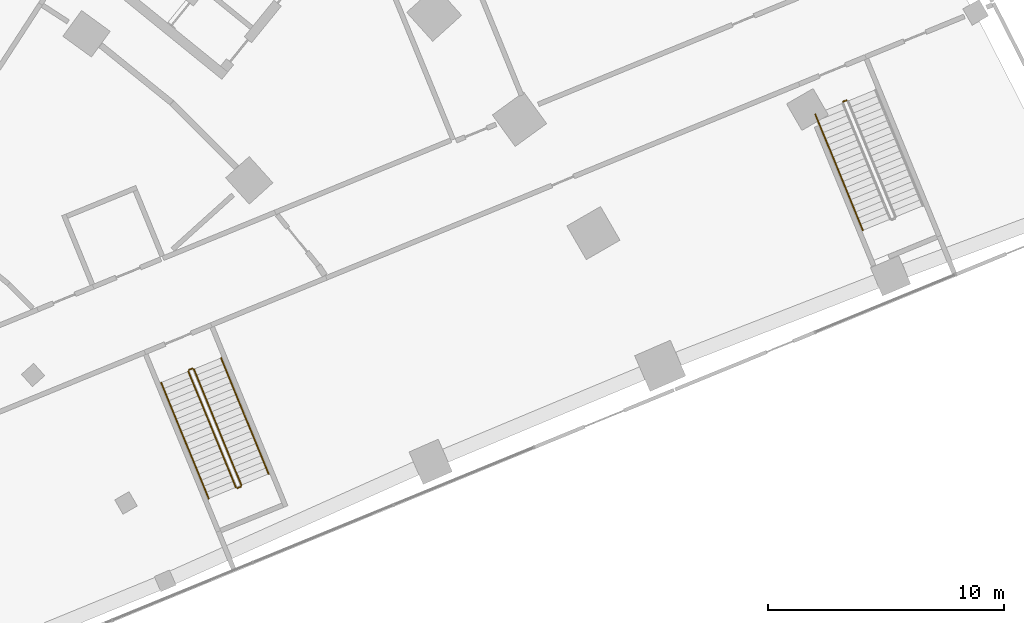
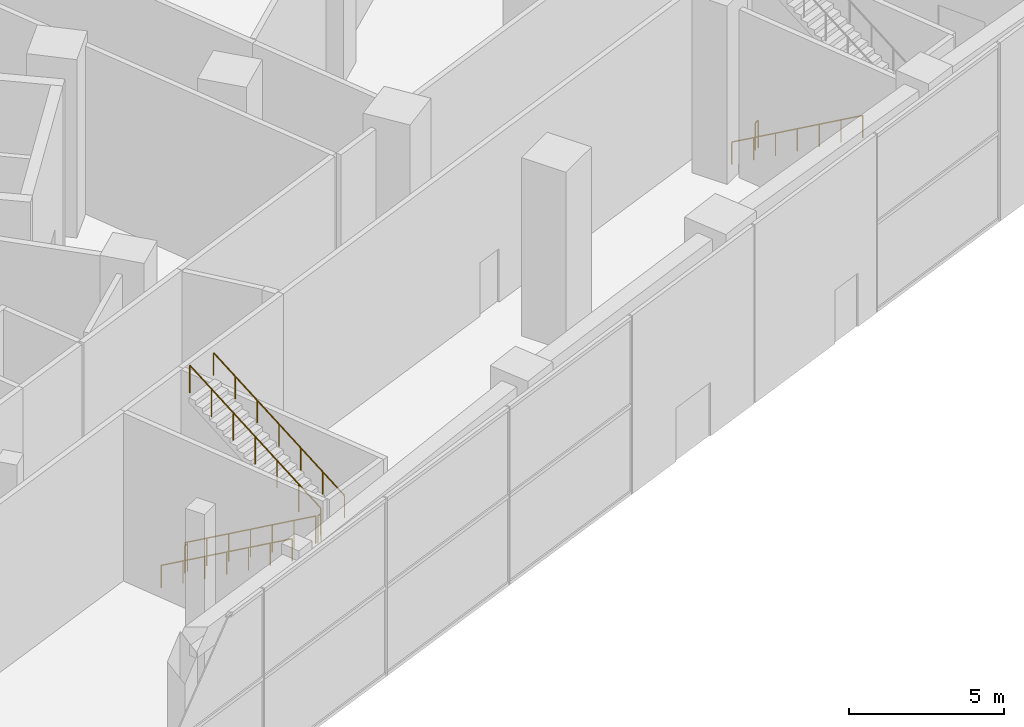
# One storey, part 56 of 60: 8 railings.
"""IFC4 building model written with IfcOpenShell, lengths in metres."""

from ifc_helpers import new_model, si_unit, direction, frame, origin, origin_2d, place, context, subcontext, project, spatial, circle, extrude, material, type_object, element, save


model = new_model("IFC4")

# Units and contexts
model_context = context("Model", 3, precision=1e-05, world=origin(), true_north=direction((0.0, 1.0)))
body_context = subcontext(model_context, "Body", "Model", "MODEL_VIEW")
ifc_project = project(units=[si_unit("LENGTHUNIT", "METRE"), si_unit("AREAUNIT", "SQUARE_METRE"), si_unit("VOLUMEUNIT", "CUBIC_METRE"), si_unit("PLANEANGLEUNIT", "RADIAN"), si_unit("MASSUNIT", "GRAM", prefix="KILO")], contexts=[model_context])

# Site, building, storey
site_placement = place(None, origin())
site = spatial("IfcSite", under=ifc_project, at=site_placement, CompositionType="ELEMENT")
building_placement = place(site_placement, origin())
building = spatial("IfcBuilding", under=site, at=building_placement, Name="Stone Belt Terrace Tower", CompositionType="ELEMENT")
storey_placement = place(building_placement, origin())
storey = spatial("IfcBuildingStorey", under=building, at=storey_placement, Name="L00", CompositionType="ELEMENT", Elevation=0.0)

# Railings
ifc_material_1 = material(Name="Steel balustrade", Category="steel")
railing_type_1 = type_object("IfcRailingType", Name="Podium stair guard", PredefinedType="GUARDRAIL", material=ifc_material_1)
railing_1_placement = place(storey_placement, frame((30.445556640625, 21.63232421875, 0.175048828125)))
element("IfcRailing", 1, at=railing_1_placement, inside=storey, type_object=railing_type_1, Name="L00 PS3 stair guard 1", PredefinedType="GUARDRAIL", context=body_context, shape_type="SweptSolid", body=[
    extrude(circle(Radius=0.02392578125, at=origin_2d()), frame((0.0, 0.0, 1.076171875), z_axis=(0.321598436884, -0.784655043911, 0.529991422062), x_axis=(0.925297482955, 0.379242096868, 0.0)), (0.0, 0.0, 1.0), 6.273681640625),
    extrude(circle(Radius=0.02099609375, at=origin_2d()), origin(), (0.0, 0.0, 1.0), 1.052001953125),
    extrude(circle(Radius=0.02099609375, at=origin_2d()), frame((0.336181640625, -0.8203125, 0.55419921875)), (0.0, 0.0, 1.0), 1.052001953125),
    extrude(circle(Radius=0.02099609375, at=origin_2d()), frame((0.672607421875, -1.640869140625, 1.1083984375)), (0.0, 0.0, 1.0), 1.052001953125),
    extrude(circle(Radius=0.02099609375, at=origin_2d()), frame((1.0087890625, -2.46142578125, 1.66259765625)), (0.0, 0.0, 1.0), 1.052001953125),
    extrude(circle(Radius=0.02099609375, at=origin_2d()), frame((1.344970703125, -3.28173828125, 2.216552734375)), (0.0, 0.0, 1.0), 1.052001953125),
    extrude(circle(Radius=0.02099609375, at=origin_2d()), frame((1.681396484375, -4.10205078125, 2.770751953125)), (0.0, 0.0, 1.0), 1.052001953125),
    extrude(circle(Radius=0.02099609375, at=origin_2d()), frame((2.017578125, -4.922607421875, 3.324951171875)), (0.0, 0.0, 1.0), 1.052001953125),
])
railing_2_placement = place(storey_placement, frame((32.5283203125, 16.682373046875, 3.5)))
element("IfcRailing", 2, at=railing_2_placement, inside=storey, type_object=railing_type_1, Name="L00 PS3 stair guard 2", PredefinedType="GUARDRAIL", context=body_context, shape_type="SweptSolid", body=[
    extrude(circle(Radius=0.02392578125, at=origin_2d()), frame((0.0, 0.0, 1.076171875), z_axis=(0.925183283695, 0.379520607572, 0.0), x_axis=(-0.379520607572, 0.925183283695, 0.0)), (0.0, 0.0, 1.0), 0.14990234375),
    extrude(circle(Radius=0.02099609375, at=origin_2d()), origin(), (0.0, 0.0, 1.0), 1.052001953125),
    extrude(circle(Radius=0.02099609375, at=origin_2d()), frame((0.138671875, 0.056884765625, 0.0)), (0.0, 0.0, 1.0), 1.052001953125),
])
railing_3_placement = place(storey_placement, frame((32.6943359375, 16.804443359375, 3.675048828125)))
element("IfcRailing", 3, at=railing_3_placement, inside=storey, type_object=railing_type_1, Name="L00 PS3 stair guard 3", PredefinedType="GUARDRAIL", context=body_context, shape_type="SweptSolid", body=[
    extrude(circle(Radius=0.02392578125, at=origin_2d()), frame((0.0, 0.0, 1.076171875), z_axis=(-0.321598436884, 0.784655043911, 0.529991422062), x_axis=(-0.925297482955, -0.379242096868, 0.0)), (0.0, 0.0, 1.0), 6.273681640625),
    extrude(circle(Radius=0.02099609375, at=origin_2d()), origin(), (0.0, 0.0, 1.0), 1.052001953125),
    extrude(circle(Radius=0.02099609375, at=origin_2d()), frame((-0.336181640625, 0.8203125, 0.55419921875)), (0.0, 0.0, 1.0), 1.052001953125),
    extrude(circle(Radius=0.02099609375, at=origin_2d()), frame((-0.672607421875, 1.640869140625, 1.1083984375)), (0.0, 0.0, 1.0), 1.052001953125),
    extrude(circle(Radius=0.02099609375, at=origin_2d()), frame((-1.0087890625, 2.46142578125, 1.66259765625)), (0.0, 0.0, 1.0), 1.052001953125),
    extrude(circle(Radius=0.02099609375, at=origin_2d()), frame((-1.344970703125, 3.28173828125, 2.216552734375)), (0.0, 0.0, 1.0), 1.052001953125),
    extrude(circle(Radius=0.02099609375, at=origin_2d()), frame((-1.681396484375, 4.10205078125, 2.770751953125)), (0.0, 0.0, 1.0), 1.052001953125),
    extrude(circle(Radius=0.02099609375, at=origin_2d()), frame((-2.017578125, 4.922607421875, 3.324951171875)), (0.0, 0.0, 1.0), 1.052001953125),
])
railing_4_placement = place(storey_placement, frame((30.472900390625, 21.697509765625, 0.0)))
element("IfcRailing", 4, at=railing_4_placement, inside=storey, type_object=railing_type_1, Name="L00 PS3 stair guard 4", PredefinedType="GUARDRAIL", context=body_context, shape_type="SweptSolid", body=[
    extrude(circle(Radius=0.02392578125, at=origin_2d()), frame((0.0, 0.0, 1.076171875), z_axis=(0.925183283695, 0.379520607572, 0.0), x_axis=(-0.379520607572, 0.925183283695, 0.0)), (0.0, 0.0, 1.0), 0.14990234375),
    extrude(circle(Radius=0.02099609375, at=origin_2d()), origin(), (0.0, 0.0, 1.0), 1.052001953125),
    extrude(circle(Radius=0.02099609375, at=origin_2d()), frame((0.138671875, 0.056884765625, 0.0)), (0.0, 0.0, 1.0), 1.052001953125),
])
railing_5_placement = place(storey_placement, frame((58.231689453125, 33.07470703125, 0.0)))
element("IfcRailing", 5, at=railing_5_placement, inside=storey, type_object=railing_type_1, Name="L00 PS4 stair guard 4", PredefinedType="GUARDRAIL", context=body_context, shape_type="SweptSolid", body=[
    extrude(circle(Radius=0.02392578125, at=origin_2d()), frame((0.0, 0.0, 1.076171875), z_axis=(0.925417366351, 0.378949466362, 0.0), x_axis=(-0.378949466362, 0.925417366351, 0.0)), (0.0, 0.0, 1.0), 0.150146484375),
    extrude(circle(Radius=0.02099609375, at=origin_2d()), origin(), (0.0, 0.0, 1.0), 1.052001953125),
    extrude(circle(Radius=0.02099609375, at=origin_2d()), frame((0.138916015625, 0.056884765625, 0.0)), (0.0, 0.0, 1.0), 1.052001953125),
])
ifc_material_2 = material(Name="Stainless steel handrail", Category="steel")
railing_type_2 = type_object("IfcRailingType", Name="Podium stair handrail", PredefinedType="HANDRAIL", material=ifc_material_2)
railing_6_placement = place(storey_placement, frame((29.288818359375, 21.158203125, 0.175048828125)))
element("IfcRailing", 6, at=railing_6_placement, inside=storey, type_object=railing_type_2, Name="L00 PS3 stair handrail 1", PredefinedType="HANDRAIL", context=body_context, shape_type="SweptSolid", body=[
    extrude(circle(Radius=0.02392578125, at=origin_2d()), frame((0.0, 0.0, 0.8759765625), z_axis=(0.321598436884, -0.784655043911, 0.529991422062), x_axis=(0.925297482955, 0.379242096868, 0.0)), (0.0, 0.0, 1.0), 6.273681640625),
    extrude(circle(Radius=0.02099609375, at=origin_2d()), origin(), (0.0, 0.0, 1.0), 0.851806640625),
    extrude(circle(Radius=0.02099609375, at=origin_2d()), frame((0.336181640625, -0.8203125, 0.55419921875)), (0.0, 0.0, 1.0), 0.851806640625),
    extrude(circle(Radius=0.02099609375, at=origin_2d()), frame((0.672607421875, -1.640869140625, 1.1083984375)), (0.0, 0.0, 1.0), 0.851806640625),
    extrude(circle(Radius=0.02099609375, at=origin_2d()), frame((1.0087890625, -2.46142578125, 1.66259765625)), (0.0, 0.0, 1.0), 0.851806640625),
    extrude(circle(Radius=0.02099609375, at=origin_2d()), frame((1.344970703125, -3.28173828125, 2.216552734375)), (0.0, 0.0, 1.0), 0.851806640625),
    extrude(circle(Radius=0.02099609375, at=origin_2d()), frame((1.681396484375, -4.10205078125, 2.770751953125)), (0.0, 0.0, 1.0), 0.851806640625),
    extrude(circle(Radius=0.02099609375, at=origin_2d()), frame((2.017578125, -4.922607421875, 3.324951171875)), (0.0, 0.0, 1.0), 0.851806640625),
])
railing_7_placement = place(storey_placement, frame((33.85107421875, 17.278564453125, 3.675048828125)))
element("IfcRailing", 7, at=railing_7_placement, inside=storey, type_object=railing_type_2, Name="L00 PS3 stair handrail 2", PredefinedType="HANDRAIL", context=body_context, shape_type="SweptSolid", body=[
    extrude(circle(Radius=0.02392578125, at=origin_2d()), frame((0.0, 0.0, 0.8759765625), z_axis=(-0.321598436884, 0.784655043911, 0.529991422062), x_axis=(-0.925297482955, -0.379242096868, 0.0)), (0.0, 0.0, 1.0), 6.273681640625),
    extrude(circle(Radius=0.02099609375, at=origin_2d()), origin(), (0.0, 0.0, 1.0), 0.851806640625),
    extrude(circle(Radius=0.02099609375, at=origin_2d()), frame((-0.336181640625, 0.8203125, 0.55419921875)), (0.0, 0.0, 1.0), 0.851806640625),
    extrude(circle(Radius=0.02099609375, at=origin_2d()), frame((-0.672607421875, 1.640869140625, 1.1083984375)), (0.0, 0.0, 1.0), 0.851806640625),
    extrude(circle(Radius=0.02099609375, at=origin_2d()), frame((-1.0087890625, 2.46142578125, 1.66259765625)), (0.0, 0.0, 1.0), 0.851806640625),
    extrude(circle(Radius=0.02099609375, at=origin_2d()), frame((-1.344970703125, 3.28173828125, 2.216552734375)), (0.0, 0.0, 1.0), 0.851806640625),
    extrude(circle(Radius=0.02099609375, at=origin_2d()), frame((-1.681396484375, 4.10205078125, 2.770751953125)), (0.0, 0.0, 1.0), 0.851806640625),
    extrude(circle(Radius=0.02099609375, at=origin_2d()), frame((-2.017578125, 4.922607421875, 3.324951171875)), (0.0, 0.0, 1.0), 0.851806640625),
])
railing_8_placement = place(storey_placement, frame((57.0478515625, 32.535400390625, 0.175048828125)))
element("IfcRailing", 8, at=railing_8_placement, inside=storey, type_object=railing_type_2, Name="L00 PS4 stair handrail 1", PredefinedType="HANDRAIL", context=body_context, shape_type="SweptSolid", body=[
    extrude(circle(Radius=0.02392578125, at=origin_2d()), frame((0.0, 0.0, 0.8759765625), z_axis=(0.321598436884, -0.784655043911, 0.529991422062), x_axis=(0.925297482955, 0.379242096868, 0.0)), (0.0, 0.0, 1.0), 6.273681640625),
    extrude(circle(Radius=0.02099609375, at=origin_2d()), origin(), (0.0, 0.0, 1.0), 0.851806640625),
    extrude(circle(Radius=0.02099609375, at=origin_2d()), frame((0.336181640625, -0.8203125, 0.55419921875)), (0.0, 0.0, 1.0), 0.851806640625),
    extrude(circle(Radius=0.02099609375, at=origin_2d()), frame((0.672607421875, -1.640869140625, 1.1083984375)), (0.0, 0.0, 1.0), 0.851806640625),
    extrude(circle(Radius=0.02099609375, at=origin_2d()), frame((1.0087890625, -2.46142578125, 1.66259765625)), (0.0, 0.0, 1.0), 0.851806640625),
    extrude(circle(Radius=0.02099609375, at=origin_2d()), frame((1.344970703125, -3.28173828125, 2.216552734375)), (0.0, 0.0, 1.0), 0.851806640625),
    extrude(circle(Radius=0.02099609375, at=origin_2d()), frame((1.681396484375, -4.10205078125, 2.770751953125)), (0.0, 0.0, 1.0), 0.851806640625),
    extrude(circle(Radius=0.02099609375, at=origin_2d()), frame((2.017578125, -4.922607421875, 3.324951171875)), (0.0, 0.0, 1.0), 0.851806640625),
])

save(model, "model.ifc")
